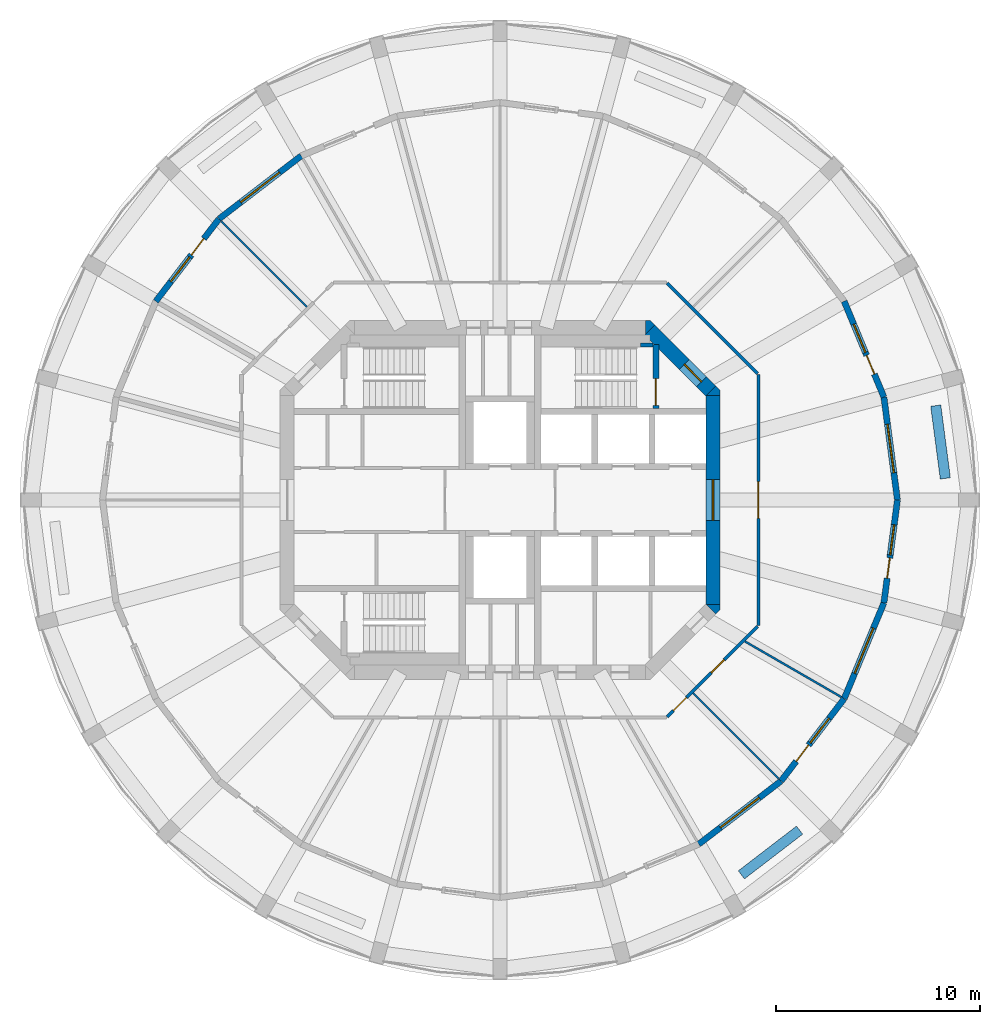
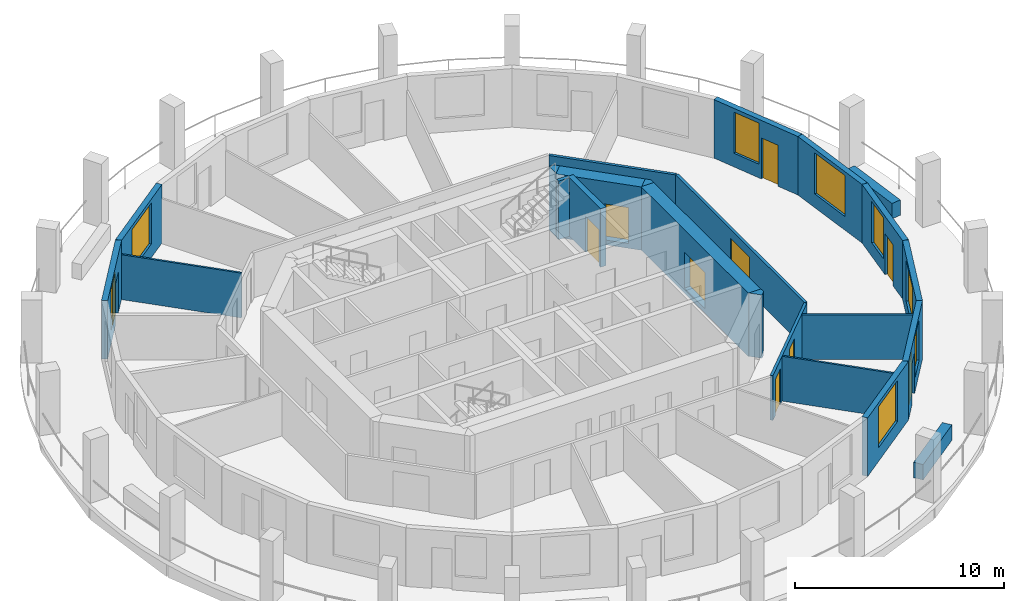
# One storey, part 5 of 8: 23 walls, 10 doors, 8 windows, 18 openings.
"""IFC4 building model written with IfcOpenShell, lengths in metres."""

from ifc_helpers import new_model, si_unit, direction, frame, frame_2d, origin, place, context, subcontext, project, spatial, polyline, rectangle, outline, extrude, material, layer, layer_set, type_object, element, fill, save


model = new_model("IFC4")

# Units and contexts
model_context = context("Model", 3, precision=1e-05, world=origin(), true_north=direction((0.0, 1.0)))
body_context = subcontext(model_context, "Body", "Model", "MODEL_VIEW")
ifc_project = project(units=[si_unit("LENGTHUNIT", "METRE"), si_unit("AREAUNIT", "SQUARE_METRE"), si_unit("VOLUMEUNIT", "CUBIC_METRE"), si_unit("PLANEANGLEUNIT", "RADIAN"), si_unit("MASSUNIT", "GRAM", prefix="KILO")], contexts=[model_context])

# Site, building, storey
site_placement = place(None, origin())
site = spatial("IfcSite", under=ifc_project, at=site_placement, CompositionType="ELEMENT")
building_placement = place(site_placement, origin())
building = spatial("IfcBuilding", under=site, at=building_placement, Name="Torre Triforio", CompositionType="ELEMENT")
storey_placement = place(building_placement, frame((0.0, 0.0, 203.89990234375)))
storey = spatial("IfcBuildingStorey", under=building, at=storey_placement, Name="L46", CompositionType="ELEMENT", Elevation=203.89990234375)

# Wall, opening, door
ifc_material_1 = material(Name="Concrete C50", Category="concrete")
ifc_layer_1 = layer(ifc_material_1, 0.699951171875)
ifc_layer_set_1 = layer_set([ifc_layer_1], Name="Concrete C50")
wall_type_1 = type_object("IfcWallType", Name="Core wall 700 mm C50 EI 120", PredefinedType="SHEAR", material=ifc_layer_set_1)
wall_1_placement = place(storey_placement, frame((10.449951171875, -5.1298828125, -0.27978515625), z_axis=(0.0, 0.0, 1.0), x_axis=(0.0, 1.0, 0.0)))
wall_1 = element("IfcWall", 1, at=wall_1_placement, inside=storey, type_object=wall_type_1, Name="Core wall", PredefinedType="SHEAR", context=body_context, shape_type="SweptSolid", body=[
    extrude(rectangle(XDim=10.259765625, YDim=0.699951171875, at=frame_2d((5.1298828125, 0.0))), origin(), (0.0, 0.0, 1.0), 3.699951171875),
])
opening_1_placement = place(wall_1_placement, frame((4.1298828125, 0.0, 0.280029296875)))
opening_1 = element("IfcOpeningElement", 2, at=opening_1_placement, cuts=wall_1, Name="Opening E-RING", PredefinedType="OPENING", context=body_context, shape_type="SweptSolid", body=[
    extrude(rectangle(XDim=2.0, YDim=2.10009765625, at=frame_2d((1.0, 1.050048828125))), frame((0.0, 0.35986328125, 0.0), z_axis=(0.0, -1.0, 0.0), x_axis=(1.0, 0.0, 0.0)), (0.0, 0.0, 1.0), 0.719970703125),
])
ifc_material_2 = material(Name="Hollow metal fire door leaf")
door_type_1 = type_object("IfcDoorType", Name="Lobby door 2000 x 2100 EI 60", OperationType="DOUBLE_DOOR_SINGLE_SWING", PredefinedType="DOOR", material=ifc_material_2)
door_1_placement = place(opening_1_placement, origin())
door_1 = element("IfcDoor", 3, at=door_1_placement, inside=storey, type_object=door_type_1, Name="Core door E-RING", OperationType="DOUBLE_DOOR_SINGLE_SWING", OverallHeight=2.10009765625, OverallWidth=2.0, PredefinedType="DOOR", context=body_context, shape_type="SweptSolid", body=[
    extrude(rectangle(XDim=2.0, YDim=2.10009765625, at=frame_2d((1.0, 1.050048828125))), frame((0.0, 0.02490234375, 0.0), z_axis=(0.0, -1.0, 0.0), x_axis=(1.0, 0.0, 0.0)), (0.0, 0.0, 1.0), 0.050048828125),
])
fill(opening_1, door_1)

wall_2_placement = place(storey_placement, frame((7.347412109375, 8.347412109375, -0.27978515625), z_axis=(0.0, 0.0, 1.0), x_axis=(0.707106781187, -0.707106781187, 0.0)))
wall_2 = element("IfcWall", 4, at=wall_2_placement, inside=storey, type_object=wall_type_1, Name="Core wall", PredefinedType="SHEAR", context=body_context, shape_type="SweptSolid", body=[
    extrude(rectangle(XDim=4.24267578125, YDim=0.699951171875, at=frame_2d((2.121337890625, 0.0))), origin(), (0.0, 0.0, 1.0), 3.699951171875),
])
opening_2_placement = place(wall_2_placement, frame((2.392578125, 0.0, 0.280029296875)))
opening_2 = element("IfcOpeningElement", 5, at=opening_2_placement, cuts=wall_2, Name="Opening ST2-EXIT", PredefinedType="OPENING", context=body_context, shape_type="SweptSolid", body=[
    extrude(rectangle(XDim=1.199951171875, YDim=2.10009765625, at=frame_2d((0.60009765625, 1.050048828125))), frame((0.0, 0.35986328125, 0.0), z_axis=(0.0, -1.0, 0.0), x_axis=(1.0, 0.0, 0.0)), (0.0, 0.0, 1.0), 0.719970703125),
])
door_type_2 = type_object("IfcDoorType", Name="Stair lobby door 1200 x 2100 EI 60", OperationType="NOTDEFINED", PredefinedType="DOOR", material=ifc_material_2)
door_2_placement = place(opening_2_placement, origin())
door_2 = element("IfcDoor", 6, at=door_2_placement, inside=storey, type_object=door_type_2, Name="Core door ST2-EXIT", OperationType="SINGLE_SWING_RIGHT", OverallHeight=2.10009765625, OverallWidth=1.199951171875, PredefinedType="DOOR", context=body_context, shape_type="SweptSolid", body=[
    extrude(rectangle(XDim=1.199951171875, YDim=2.10009765625, at=frame_2d((0.60009765625, 1.050048828125))), frame((0.0, 0.02490234375, 0.0), z_axis=(0.0, -1.0, 0.0), x_axis=(1.0, 0.0, 0.0)), (0.0, 0.0, 1.0), 0.050048828125),
])
fill(opening_2, door_2)

# Walls
wall_3_placement = place(storey_placement, frame((0.0, 0.0, -0.27978515625)))
element("IfcWall", 7, at=wall_3_placement, inside=storey, type_object=wall_type_1, Name="Core wall", PredefinedType="SHEAR", context=body_context, shape_type="SweptSolid", body=[
    extrude(outline(polyline([(10.800048828125, -5.389892578125), (10.594970703125, -5.594970703125), (10.594970703125, -5.594970703125), (10.594970703125, -5.594970703125), (10.1298828125, -5.1298828125), (10.800048828125, -5.1298828125), (10.800048828125, -5.1298828125), (10.800048828125, -5.389892578125)])), origin(), (0.0, 0.0, 1.0), 3.699951171875),
])
wall_4_placement = place(storey_placement, frame((0.0, 0.0, -0.27978515625)))
element("IfcWall", 8, at=wall_4_placement, inside=storey, type_object=wall_type_1, Name="Core wall", PredefinedType="SHEAR", context=body_context, shape_type="SweptSolid", body=[
    extrude(outline(polyline([(10.800048828125, 5.389892578125), (10.800048828125, 5.1298828125), (10.800048828125, 5.1298828125), (10.1298828125, 5.1298828125), (10.594970703125, 5.594970703125), (10.594970703125, 5.594970703125), (10.594970703125, 5.594970703125), (10.800048828125, 5.389892578125)])), origin(), (0.0, 0.0, 1.0), 3.699951171875),
])
wall_5_placement = place(storey_placement, frame((0.0, 0.0, -0.27978515625)))
element("IfcWall", 9, at=wall_5_placement, inside=storey, type_object=wall_type_1, Name="Core wall", PredefinedType="SHEAR", context=body_context, shape_type="SweptSolid", body=[
    extrude(outline(polyline([(7.389892578125, 8.800048828125), (7.594970703125, 8.594970703125), (7.594970703125, 8.594970703125), (7.594970703125, 8.594970703125), (7.1298828125, 8.1298828125), (7.1298828125, 8.800048828125), (7.1298828125, 8.800048828125), (7.389892578125, 8.800048828125)])), origin(), (0.0, 0.0, 1.0), 3.699951171875),
])

# Wall, openings, doors
ifc_material_3 = material(Name="Plasterboard on metal studs")
ifc_layer_2 = layer(ifc_material_3, 0.14990234375)
ifc_layer_set_2 = layer_set([ifc_layer_2], Name="Plasterboard on metal studs")
wall_type_2 = type_object("IfcWallType", Name="Corridor and tenancy wall 150 mm EI 60", PredefinedType="PARTITIONING", material=ifc_layer_set_2)
wall_6_placement = place(storey_placement, frame((12.637939453125, -6.20361328125, 0.0), z_axis=(0.0, 0.0, 1.0), x_axis=(-0.707106781187, -0.707106781187, 0.0)))
wall_6 = element("IfcWall", 10, at=wall_6_placement, inside=storey, type_object=wall_type_2, Name="Partition 1", PredefinedType="PARTITIONING", context=body_context, shape_type="SweptSolid", body=[
    extrude(rectangle(XDim=6.27099609375, YDim=0.14990234375, at=frame_2d((3.135498046875, 0.0))), origin(), (0.0, 0.0, 1.0), 2.6201171875),
])
opening_3_placement = place(wall_6_placement, frame((4.935302734375, 0.0, 0.0)))
opening_3 = element("IfcOpeningElement", 11, at=opening_3_placement, cuts=wall_6, Name="Opening O5-06", PredefinedType="OPENING", context=body_context, shape_type="SweptSolid", body=[
    extrude(rectangle(XDim=0.89990234375, YDim=2.10009765625, at=frame_2d((0.449951171875, 1.050048828125))), frame((0.0, 0.0849609375, 0.0), z_axis=(0.0, -1.0, 0.0), x_axis=(1.0, 0.0, 0.0)), (0.0, 0.0, 1.0), 0.169921875),
])
opening_4_placement = place(wall_6_placement, frame((2.313720703125, 0.0, 0.0)))
opening_4 = element("IfcOpeningElement", 12, at=opening_4_placement, cuts=wall_6, Name="Opening O5-07", PredefinedType="OPENING", context=body_context, shape_type="SweptSolid", body=[
    extrude(rectangle(XDim=0.89990234375, YDim=2.10009765625, at=frame_2d((0.449951171875, 1.050048828125))), frame((0.0, 0.0849609375, 0.0), z_axis=(0.0, -1.0, 0.0), x_axis=(1.0, 0.0, 0.0)), (0.0, 0.0, 1.0), 0.169921875),
])
ifc_material_4 = material(Name="Timber", Category="wood")
door_type_3 = type_object("IfcDoorType", Name="Door 900 x 2100 single leaf EI 30", OperationType="NOTDEFINED", PredefinedType="DOOR", material=ifc_material_4)
door_3_placement = place(opening_3_placement, origin())
door_3 = element("IfcDoor", 13, at=door_3_placement, inside=storey, type_object=door_type_3, Name="Door O5-06", OperationType="SINGLE_SWING_RIGHT", OverallHeight=2.10009765625, OverallWidth=0.89990234375, PredefinedType="DOOR", context=body_context, shape_type="SweptSolid", body=[
    extrude(rectangle(XDim=0.89990234375, YDim=2.10009765625, at=frame_2d((0.449951171875, 1.050048828125))), frame((0.0, 0.02490234375, 0.0), z_axis=(0.0, -1.0, 0.0), x_axis=(1.0, 0.0, 0.0)), (0.0, 0.0, 1.0), 0.050048828125),
])
fill(opening_3, door_3)
door_4_placement = place(opening_4_placement, origin())
door_4 = element("IfcDoor", 14, at=door_4_placement, inside=storey, type_object=door_type_3, Name="Door O5-07", OperationType="SINGLE_SWING_LEFT", OverallHeight=2.10009765625, OverallWidth=0.89990234375, PredefinedType="DOOR", context=body_context, shape_type="SweptSolid", body=[
    extrude(rectangle(XDim=0.89990234375, YDim=2.10009765625, at=frame_2d((0.449951171875, 1.050048828125))), frame((0.0, 0.02490234375, 0.0), z_axis=(0.0, -1.0, 0.0), x_axis=(1.0, 0.0, 0.0)), (0.0, 0.0, 1.0), 0.050048828125),
])
fill(opening_4, door_4)

# Wall
wall_7_placement = place(storey_placement, frame((8.20361328125, 10.637939453125, 0.0), z_axis=(0.0, 0.0, 1.0), x_axis=(0.707106781187, -0.707106781187, 0.0)))
element("IfcWall", 15, at=wall_7_placement, inside=storey, type_object=wall_type_2, Name="Partition 9", PredefinedType="PARTITIONING", context=body_context, shape_type="SweptSolid", body=[
    extrude(rectangle(XDim=6.27099609375, YDim=0.14990234375, at=frame_2d((3.135498046875, 0.0))), origin(), (0.0, 0.0, 1.0), 2.6201171875),
])

# Wall, opening, door
wall_8_placement = place(storey_placement, frame((12.675048828125, 6.16650390625, 0.0), z_axis=(0.0, 0.0, 1.0), x_axis=(0.0, -1.0, 0.0)))
wall_8 = element("IfcWall", 16, at=wall_8_placement, inside=storey, type_object=wall_type_2, Name="Partition 10", PredefinedType="PARTITIONING", context=body_context, shape_type="SweptSolid", body=[
    extrude(rectangle(XDim=12.3330078125, YDim=0.14990234375, at=frame_2d((6.16650390625, 0.0))), origin(), (0.0, 0.0, 1.0), 2.6201171875),
])
opening_5_placement = place(wall_8_placement, frame((5.2666015625, 0.0, 0.0)))
opening_5 = element("IfcOpeningElement", 17, at=opening_5_placement, cuts=wall_8, Name="Opening O5-08", PredefinedType="OPENING", context=body_context, shape_type="SweptSolid", body=[
    extrude(rectangle(XDim=1.800048828125, YDim=2.10009765625, at=frame_2d((0.89990234375, 1.050048828125))), frame((0.0, 0.0849609375, 0.0), z_axis=(0.0, -1.0, 0.0), x_axis=(1.0, 0.0, 0.0)), (0.0, 0.0, 1.0), 0.169921875),
])
door_type_4 = type_object("IfcDoorType", Name="Door 1800 x 2100 double leaf EI 30", OperationType="DOUBLE_DOOR_SINGLE_SWING", PredefinedType="DOOR", material=ifc_material_4)
door_5_placement = place(opening_5_placement, origin())
door_5 = element("IfcDoor", 18, at=door_5_placement, inside=storey, type_object=door_type_4, Name="Door O5-08", OperationType="DOUBLE_DOOR_SINGLE_SWING", OverallHeight=2.10009765625, OverallWidth=1.800048828125, PredefinedType="DOOR", context=body_context, shape_type="SweptSolid", body=[
    extrude(rectangle(XDim=1.800048828125, YDim=2.10009765625, at=frame_2d((0.89990234375, 1.050048828125))), frame((0.0, 0.02490234375, 0.0), z_axis=(0.0, -1.0, 0.0), x_axis=(1.0, 0.0, 0.0)), (0.0, 0.0, 1.0), 0.050048828125),
])
fill(opening_5, door_5)

# Walls
ifc_layer_3 = layer(ifc_material_3, 0.10009765625)
ifc_layer_set_3 = layer_set([ifc_layer_3], Name="Plasterboard on metal studs")
wall_type_3 = type_object("IfcWallType", Name="Partition 100 mm board on metal studs", PredefinedType="PARTITIONING", material=ifc_layer_set_3)
for number, where, z_axis, x_axis, name in (
    (19, (-9.473876953125, 9.473876953125, 0.0), (0.0, 0.0, 1.0), (-0.707106781187, 0.707106781187, 0.0), "Partition 16"),
    (20, (9.473876953125, -9.473876953125, 0.0), (0.0, 0.0, 1.0), (0.707106781187, -0.707106781187, 0.0), "Partition 25"),
):
    element("IfcWall", number, at=place(storey_placement, frame(where, z_axis=z_axis, x_axis=x_axis)), inside=storey, type_object=wall_type_3, Name=name, PredefinedType="PARTITIONING", context=body_context, shape_type="SweptSolid", body=[
        extrude(rectangle(XDim=5.9384765625, YDim=0.10009765625, at=frame_2d((2.96923828125, 0.0))), origin(), (0.0, 0.0, 1.0), 2.6201171875),
    ])
wall_9_placement = place(storey_placement, frame((12.025146484375, -6.94287109375, 0.0), z_axis=(0.0, 0.0, 1.0), x_axis=(0.866029712004, -0.499992537871, 0.0)))
element("IfcWall", 21, at=wall_9_placement, inside=storey, type_object=wall_type_3, Name="Partition 26", PredefinedType="PARTITIONING", context=body_context, shape_type="SweptSolid", body=[
    extrude(rectangle(XDim=5.451171875, YDim=0.10009765625, at=frame_2d((2.7255859375, 0.0))), origin(), (0.0, 0.0, 1.0), 2.6201171875),
])
ifc_material_5 = material(Name="Limestone cladding", Category="masonry")
ifc_layer_4 = layer(ifc_material_5, 0.10009765625)
ifc_material_6 = material(Name="Concrete C40", Category="concrete")
ifc_layer_5 = layer(ifc_material_6, 0.39990234375)
ifc_layer_set_4 = layer_set([ifc_layer_4, ifc_layer_5], Name="Limestone cladding / Concrete C40")
wall_type_4 = type_object("IfcWallType", Name="Planter wall 500", PredefinedType="PARAPET", material=ifc_layer_set_4)
wall_10_placement = place(storey_placement, frame((21.848388671875, 1.060791015625, 0.0), z_axis=(0.0, 0.0, 1.0), x_axis=(-0.130475563272, 0.991451525486, 0.0)))
element("IfcWall", 22, at=wall_10_placement, inside=storey, type_object=wall_type_4, Name="Planter L46 bay 01", PredefinedType="PARAPET", context=body_context, shape_type="SweptSolid", body=[
    extrude(rectangle(XDim=3.60009765625, YDim=0.5, at=frame_2d((1.800048828125, 0.0))), origin(), (0.0, 0.0, 1.0), 0.900146484375),
])
wall_11_placement = place(storey_placement, frame((11.843017578125, -18.390869140625, 0.0), z_axis=(0.0, 0.0, 1.0), x_axis=(0.793326845617, 0.608795955984, 0.0)))
element("IfcWall", 23, at=wall_11_placement, inside=storey, type_object=wall_type_4, Name="Planter L46 bay 21", PredefinedType="PARAPET", context=body_context, shape_type="SweptSolid", body=[
    extrude(rectangle(XDim=3.599853515625, YDim=0.5, at=frame_2d((1.7998046875, 0.0))), origin(), (0.0, 0.0, 1.0), 0.900146484375),
])
ifc_layer_6 = layer(ifc_material_1, 0.199951171875)
ifc_layer_set_5 = layer_set([ifc_layer_6], Name="Concrete C50")
wall_type_5 = type_object("IfcWallType", Name="Stair wall 200 mm C50 EI 120", PredefinedType="SHEAR", material=ifc_layer_set_5)
wall_12_placement = place(storey_placement, frame((6.89990234375, 7.60009765625, 0.0), z_axis=(0.0, 0.0, 1.0), x_axis=(1.0, 0.0, 0.0)))
element("IfcWall", 24, at=wall_12_placement, inside=storey, type_object=wall_type_5, Name="Stair wall", PredefinedType="SHEAR", context=body_context, shape_type="SweptSolid", body=[
    extrude(rectangle(XDim=0.60009765625, YDim=0.199951171875, at=frame_2d((0.300048828125, 0.0))), origin(), (0.0, 0.0, 1.0), 3.420166015625),
])

# Wall, opening, door
ifc_layer_7 = layer(ifc_material_1, 0.300048828125)
ifc_layer_set_6 = layer_set([ifc_layer_7], Name="Concrete C50")
wall_type_6 = type_object("IfcWallType", Name="Stair wall 300 mm C50 EI 120", PredefinedType="SHEAR", material=ifc_layer_set_6)
wall_13_placement = place(storey_placement, frame((7.64990234375, 4.5, 0.0), z_axis=(0.0, 0.0, 1.0), x_axis=(0.0, 1.0, 0.0)))
wall_13 = element("IfcWall", 25, at=wall_13_placement, inside=storey, type_object=wall_type_6, Name="Stair wall", PredefinedType="SHEAR", context=body_context, shape_type="SweptSolid", body=[
    extrude(rectangle(XDim=3.139892578125, YDim=0.300048828125, at=frame_2d((1.56982421875, 0.0))), origin(), (0.0, 0.0, 1.0), 3.420166015625),
])
opening_6_placement = place(wall_13_placement, frame((0.139892578125, 0.0, 0.0)))
opening_6 = element("IfcOpeningElement", 26, at=opening_6_placement, cuts=wall_13, Name="Opening ST2-STA", PredefinedType="OPENING", context=body_context, shape_type="SweptSolid", body=[
    extrude(rectangle(XDim=1.320068359375, YDim=2.10009765625, at=frame_2d((0.66015625, 1.050048828125))), frame((0.0, 0.159912109375, 0.0), z_axis=(0.0, -1.0, 0.0), x_axis=(1.0, 0.0, 0.0)), (0.0, 0.0, 1.0), 0.320068359375),
])
door_type_5 = type_object("IfcDoorType", Name="Stair door 1320 x 2100 EI 90", OperationType="DOUBLE_DOOR_SINGLE_SWING", PredefinedType="DOOR", material=ifc_material_2)
door_6_placement = place(opening_6_placement, origin())
door_6 = element("IfcDoor", 27, at=door_6_placement, inside=storey, type_object=door_type_5, Name="Core door ST2-ST", OperationType="DOUBLE_DOOR_SINGLE_SWING", OverallHeight=2.10009765625, OverallWidth=1.320068359375, PredefinedType="DOOR", context=body_context, shape_type="SweptSolid", body=[
    extrude(rectangle(XDim=1.320068359375, YDim=2.10009765625, at=frame_2d((0.66015625, 1.050048828125))), frame((0.0, 0.02490234375, 0.0), z_axis=(0.0, -1.0, 0.0), x_axis=(1.0, 0.0, 0.0)), (0.0, 0.0, 1.0), 0.050048828125),
])
fill(opening_6, door_6)

# Wall, opening, window
ifc_layer_8 = layer(ifc_material_5, 0.10009765625)
ifc_layer_9 = layer(ifc_material_6, 0.199951171875)
ifc_layer_set_7 = layer_set([ifc_layer_8, ifc_layer_9], Name="Limestone cladding / Concrete C40")
wall_type_7 = type_object("IfcWallType", Name="Stone-faced composite wall 300", PredefinedType="STANDARD", material=ifc_layer_set_7)
wall_14_placement = place(storey_placement, frame((19.5, 0.0, 0.0), z_axis=(0.0, 0.0, 1.0), x_axis=(-0.130495451964, 0.99144890792, 0.0)))
wall_14 = element("IfcWall", 28, at=wall_14_placement, inside=storey, type_object=wall_type_7, Name="External wall L46 bay 01", PredefinedType="STANDARD", context=body_context, shape_type="SweptSolid", body=[
    extrude(rectangle(XDim=5.090576171875, YDim=0.300048828125, at=frame_2d((2.54541015625, 0.0))), origin(), (0.0, 0.0, 1.0), 3.420166015625),
])
opening_7_placement = place(wall_14_placement, frame((1.34521484375, 0.0, 0.800048828125)))
opening_7 = element("IfcOpeningElement", 29, at=opening_7_placement, cuts=wall_14, Name="Opening O5-W01", PredefinedType="OPENING", context=body_context, shape_type="SweptSolid", body=[
    extrude(rectangle(XDim=2.39990234375, YDim=2.39990234375, at=frame_2d((1.199951171875, 1.199951171875))), frame((0.0, 0.159912109375, 0.0), z_axis=(0.0, -1.0, 0.0), x_axis=(1.0, 0.0, 0.0)), (0.0, 0.0, 1.0), 0.320068359375),
])
ifc_material_7 = material(Name="Aluminium frame with clear double glazing", Category="aluminium")
window_type_1 = type_object("IfcWindowType", Name="Punched window 2400 x 2400", PartitioningType="DOUBLE_PANEL_VERTICAL", PredefinedType="WINDOW", material=ifc_material_7)
window_1_placement = place(opening_7_placement, origin())
window_1 = element("IfcWindow", 30, at=window_1_placement, inside=storey, type_object=window_type_1, Name="Window EWN4 L46 bay 01", OverallHeight=2.39990234375, OverallWidth=2.39990234375, PartitioningType="SINGLE_PANEL", PredefinedType="WINDOW", context=body_context, shape_type="SweptSolid", body=[
    extrude(rectangle(XDim=2.39990234375, YDim=2.39990234375, at=frame_2d((1.199951171875, 1.199951171875))), frame((0.0, 0.030029296875, 0.0), z_axis=(0.0, -1.0, 0.0), x_axis=(1.0, 0.0, 0.0)), (0.0, 0.0, 1.0), 0.06005859375),
])
fill(opening_7, window_1)

# Wall, openings, door, window
wall_15_placement = place(storey_placement, frame((18.835693359375, 5.047119140625, 0.0), z_axis=(0.0, 0.0, 1.0), x_axis=(-0.382724538613, 0.923862504675, 0.0)))
wall_15 = element("IfcWall", 31, at=wall_15_placement, inside=storey, type_object=wall_type_7, Name="External wall L46 bay 02", PredefinedType="STANDARD", context=body_context, shape_type="SweptSolid", body=[
    extrude(rectangle(XDim=5.090576171875, YDim=0.300048828125, at=frame_2d((2.54541015625, 0.0))), origin(), (0.0, 0.0, 1.0), 3.420166015625),
])
opening_8_placement = place(wall_15_placement, frame((1.22021484375, 0.0, 0.0)))
opening_8 = element("IfcOpeningElement", 32, at=opening_8_placement, cuts=wall_15, Name="Opening O5-D02", PredefinedType="OPENING", context=body_context, shape_type="SweptSolid", body=[
    extrude(rectangle(XDim=1.0, YDim=2.39990234375, at=frame_2d((0.5, 1.199951171875))), frame((0.0, 0.159912109375, 0.0), z_axis=(0.0, -1.0, 0.0), x_axis=(1.0, 0.0, 0.0)), (0.0, 0.0, 1.0), 0.320068359375),
])
opening_9_placement = place(wall_15_placement, frame((2.370361328125, 0.0, 0.800048828125)))
opening_9 = element("IfcOpeningElement", 33, at=opening_9_placement, cuts=wall_15, Name="Opening O5-W02A", PredefinedType="OPENING", context=body_context, shape_type="SweptSolid", body=[
    extrude(rectangle(XDim=1.5, YDim=2.39990234375, at=frame_2d((0.75, 1.199951171875))), frame((0.0, 0.159912109375, 0.0), z_axis=(0.0, -1.0, 0.0), x_axis=(1.0, 0.0, 0.0)), (0.0, 0.0, 1.0), 0.320068359375),
])
door_type_6 = type_object("IfcDoorType", Name="Loggia door 1000 x 2400", OperationType="NOTDEFINED", PredefinedType="DOOR", material=ifc_material_7)
door_7_placement = place(opening_8_placement, origin())
door_7 = element("IfcDoor", 34, at=door_7_placement, inside=storey, type_object=door_type_6, Name="Loggia door L46 bay 02", OperationType="SINGLE_SWING_LEFT", OverallHeight=2.39990234375, OverallWidth=1.0, PredefinedType="DOOR", context=body_context, shape_type="SweptSolid", body=[
    extrude(rectangle(XDim=1.0, YDim=2.39990234375, at=frame_2d((0.5, 1.199951171875))), frame((0.0, 0.02490234375, 0.0), z_axis=(0.0, -1.0, 0.0), x_axis=(1.0, 0.0, 0.0)), (0.0, 0.0, 1.0), 0.050048828125),
])
fill(opening_8, door_7)
window_type_2 = type_object("IfcWindowType", Name="Side window 1500 x 2400", PartitioningType="SINGLE_PANEL", PredefinedType="WINDOW", material=ifc_material_7)
window_2_placement = place(opening_9_placement, origin())
window_2 = element("IfcWindow", 35, at=window_2_placement, inside=storey, type_object=window_type_2, Name="Side window EWN14 L46 bay 02", OverallHeight=2.39990234375, OverallWidth=1.5, PartitioningType="SINGLE_PANEL", PredefinedType="WINDOW", context=body_context, shape_type="SweptSolid", body=[
    extrude(rectangle(XDim=1.5, YDim=2.39990234375, at=frame_2d((0.75, 1.199951171875))), frame((0.0, 0.030029296875, 0.0), z_axis=(0.0, -1.0, 0.0), x_axis=(1.0, 0.0, 0.0)), (0.0, 0.0, 1.0), 0.06005859375),
])
fill(opening_9, window_2)

# Wall, opening, window
wall_16_placement = place(storey_placement, frame((-9.75, 16.887451171875, 0.0), z_axis=(0.0, 0.0, 1.0), x_axis=(-0.79335619014, -0.608757714995, 0.0)))
wall_16 = element("IfcWall", 36, at=wall_16_placement, inside=storey, type_object=wall_type_7, Name="External wall L46 bay 09", PredefinedType="STANDARD", context=body_context, shape_type="SweptSolid", body=[
    extrude(rectangle(XDim=5.090576171875, YDim=0.300048828125, at=frame_2d((2.54541015625, 0.0))), origin(), (0.0, 0.0, 1.0), 3.420166015625),
])
opening_10_placement = place(wall_16_placement, frame((1.34521484375, 0.0, 0.800048828125)))
opening_10 = element("IfcOpeningElement", 37, at=opening_10_placement, cuts=wall_16, Name="Opening O5-W09", PredefinedType="OPENING", context=body_context, shape_type="SweptSolid", body=[
    extrude(rectangle(XDim=2.39990234375, YDim=2.39990234375, at=frame_2d((1.199951171875, 1.199951171875))), frame((0.0, 0.159912109375, 0.0), z_axis=(0.0, -1.0, 0.0), x_axis=(1.0, 0.0, 0.0)), (0.0, 0.0, 1.0), 0.320068359375),
])
window_3_placement = place(opening_10_placement, origin())
window_3 = element("IfcWindow", 38, at=window_3_placement, inside=storey, type_object=window_type_1, Name="Window EWN4 L46 bay 09", OverallHeight=2.39990234375, OverallWidth=2.39990234375, PartitioningType="SINGLE_PANEL", PredefinedType="WINDOW", context=body_context, shape_type="SweptSolid", body=[
    extrude(rectangle(XDim=2.39990234375, YDim=2.39990234375, at=frame_2d((1.199951171875, 1.199951171875))), frame((0.0, 0.030029296875, 0.0), z_axis=(0.0, -1.0, 0.0), x_axis=(1.0, 0.0, 0.0)), (0.0, 0.0, 1.0), 0.06005859375),
])
fill(opening_10, window_3)

# Wall, openings, door, window
wall_17_placement = place(storey_placement, frame((-13.78857421875, 13.78857421875, 0.0), z_axis=(0.0, 0.0, 1.0), x_axis=(-0.608757714995, -0.79335619014, 0.0)))
wall_17 = element("IfcWall", 39, at=wall_17_placement, inside=storey, type_object=wall_type_7, Name="External wall L46 bay 10", PredefinedType="STANDARD", context=body_context, shape_type="SweptSolid", body=[
    extrude(rectangle(XDim=5.090576171875, YDim=0.300048828125, at=frame_2d((2.54541015625, 0.0))), origin(), (0.0, 0.0, 1.0), 3.420166015625),
])
opening_11_placement = place(wall_17_placement, frame((1.22021484375, 0.0, 0.0)))
opening_11 = element("IfcOpeningElement", 40, at=opening_11_placement, cuts=wall_17, Name="Opening O5-D10", PredefinedType="OPENING", context=body_context, shape_type="SweptSolid", body=[
    extrude(rectangle(XDim=1.0, YDim=2.39990234375, at=frame_2d((0.5, 1.199951171875))), frame((0.0, 0.159912109375, 0.0), z_axis=(0.0, -1.0, 0.0), x_axis=(1.0, 0.0, 0.0)), (0.0, 0.0, 1.0), 0.320068359375),
])
opening_12_placement = place(wall_17_placement, frame((2.370361328125, 0.0, 0.800048828125)))
opening_12 = element("IfcOpeningElement", 41, at=opening_12_placement, cuts=wall_17, Name="Opening O5-W10A", PredefinedType="OPENING", context=body_context, shape_type="SweptSolid", body=[
    extrude(rectangle(XDim=1.5, YDim=2.39990234375, at=frame_2d((0.75, 1.199951171875))), frame((0.0, 0.159912109375, 0.0), z_axis=(0.0, -1.0, 0.0), x_axis=(1.0, 0.0, 0.0)), (0.0, 0.0, 1.0), 0.320068359375),
])
door_8_placement = place(opening_11_placement, origin())
door_8 = element("IfcDoor", 42, at=door_8_placement, inside=storey, type_object=door_type_6, Name="Loggia door L46 bay 10", OperationType="SINGLE_SWING_LEFT", OverallHeight=2.39990234375, OverallWidth=1.0, PredefinedType="DOOR", context=body_context, shape_type="SweptSolid", body=[
    extrude(rectangle(XDim=1.0, YDim=2.39990234375, at=frame_2d((0.5, 1.199951171875))), frame((0.0, 0.02490234375, 0.0), z_axis=(0.0, -1.0, 0.0), x_axis=(1.0, 0.0, 0.0)), (0.0, 0.0, 1.0), 0.050048828125),
])
fill(opening_11, door_8)
window_4_placement = place(opening_12_placement, origin())
window_4 = element("IfcWindow", 43, at=window_4_placement, inside=storey, type_object=window_type_2, Name="Side window EWN14 L46 bay 10", OverallHeight=2.39990234375, OverallWidth=1.5, PartitioningType="SINGLE_PANEL", PredefinedType="WINDOW", context=body_context, shape_type="SweptSolid", body=[
    extrude(rectangle(XDim=1.5, YDim=2.39990234375, at=frame_2d((0.75, 1.199951171875))), frame((0.0, 0.030029296875, 0.0), z_axis=(0.0, -1.0, 0.0), x_axis=(1.0, 0.0, 0.0)), (0.0, 0.0, 1.0), 0.06005859375),
])
fill(opening_12, window_4)

# Wall, opening, window
wall_18_placement = place(storey_placement, frame((9.75, -16.887451171875, 0.0), z_axis=(0.0, 0.0, 1.0), x_axis=(0.79335619014, 0.608757714995, 0.0)))
wall_18 = element("IfcWall", 44, at=wall_18_placement, inside=storey, type_object=wall_type_7, Name="External wall L46 bay 21", PredefinedType="STANDARD", context=body_context, shape_type="SweptSolid", body=[
    extrude(rectangle(XDim=5.090576171875, YDim=0.300048828125, at=frame_2d((2.54541015625, 0.0))), origin(), (0.0, 0.0, 1.0), 3.420166015625),
])
opening_13_placement = place(wall_18_placement, frame((1.34521484375, 0.0, 0.800048828125)))
opening_13 = element("IfcOpeningElement", 45, at=opening_13_placement, cuts=wall_18, Name="Opening O5-W21", PredefinedType="OPENING", context=body_context, shape_type="SweptSolid", body=[
    extrude(rectangle(XDim=2.39990234375, YDim=2.39990234375, at=frame_2d((1.199951171875, 1.199951171875))), frame((0.0, 0.159912109375, 0.0), z_axis=(0.0, -1.0, 0.0), x_axis=(1.0, 0.0, 0.0)), (0.0, 0.0, 1.0), 0.320068359375),
])
window_5_placement = place(opening_13_placement, origin())
window_5 = element("IfcWindow", 46, at=window_5_placement, inside=storey, type_object=window_type_1, Name="Window EWN4 L46 bay 21", OverallHeight=2.39990234375, OverallWidth=2.39990234375, PartitioningType="SINGLE_PANEL", PredefinedType="WINDOW", context=body_context, shape_type="SweptSolid", body=[
    extrude(rectangle(XDim=2.39990234375, YDim=2.39990234375, at=frame_2d((1.199951171875, 1.199951171875))), frame((0.0, 0.030029296875, 0.0), z_axis=(0.0, -1.0, 0.0), x_axis=(1.0, 0.0, 0.0)), (0.0, 0.0, 1.0), 0.06005859375),
])
fill(opening_13, window_5)

# Wall, openings, door, window
wall_19_placement = place(storey_placement, frame((13.78857421875, -13.78857421875, 0.0), z_axis=(0.0, 0.0, 1.0), x_axis=(0.608757714995, 0.79335619014, 0.0)))
wall_19 = element("IfcWall", 47, at=wall_19_placement, inside=storey, type_object=wall_type_7, Name="External wall L46 bay 22", PredefinedType="STANDARD", context=body_context, shape_type="SweptSolid", body=[
    extrude(rectangle(XDim=5.090576171875, YDim=0.300048828125, at=frame_2d((2.54541015625, 0.0))), origin(), (0.0, 0.0, 1.0), 3.420166015625),
])
opening_14_placement = place(wall_19_placement, frame((1.22021484375, 0.0, 0.0)))
opening_14 = element("IfcOpeningElement", 48, at=opening_14_placement, cuts=wall_19, Name="Opening O5-D22", PredefinedType="OPENING", context=body_context, shape_type="SweptSolid", body=[
    extrude(rectangle(XDim=1.0, YDim=2.39990234375, at=frame_2d((0.5, 1.199951171875))), frame((0.0, 0.159912109375, 0.0), z_axis=(0.0, -1.0, 0.0), x_axis=(1.0, 0.0, 0.0)), (0.0, 0.0, 1.0), 0.320068359375),
])
opening_15_placement = place(wall_19_placement, frame((2.370361328125, 0.0, 0.800048828125)))
opening_15 = element("IfcOpeningElement", 49, at=opening_15_placement, cuts=wall_19, Name="Opening O5-W22A", PredefinedType="OPENING", context=body_context, shape_type="SweptSolid", body=[
    extrude(rectangle(XDim=1.5, YDim=2.39990234375, at=frame_2d((0.75, 1.199951171875))), frame((0.0, 0.159912109375, 0.0), z_axis=(0.0, -1.0, 0.0), x_axis=(1.0, 0.0, 0.0)), (0.0, 0.0, 1.0), 0.320068359375),
])
door_9_placement = place(opening_14_placement, origin())
door_9 = element("IfcDoor", 50, at=door_9_placement, inside=storey, type_object=door_type_6, Name="Loggia door L46 bay 22", OperationType="SINGLE_SWING_LEFT", OverallHeight=2.39990234375, OverallWidth=1.0, PredefinedType="DOOR", context=body_context, shape_type="SweptSolid", body=[
    extrude(rectangle(XDim=1.0, YDim=2.39990234375, at=frame_2d((0.5, 1.199951171875))), frame((0.0, 0.02490234375, 0.0), z_axis=(0.0, -1.0, 0.0), x_axis=(1.0, 0.0, 0.0)), (0.0, 0.0, 1.0), 0.050048828125),
])
fill(opening_14, door_9)
window_6_placement = place(opening_15_placement, origin())
window_6 = element("IfcWindow", 51, at=window_6_placement, inside=storey, type_object=window_type_2, Name="Side window EWN14 L46 bay 22", OverallHeight=2.39990234375, OverallWidth=1.5, PartitioningType="SINGLE_PANEL", PredefinedType="WINDOW", context=body_context, shape_type="SweptSolid", body=[
    extrude(rectangle(XDim=1.5, YDim=2.39990234375, at=frame_2d((0.75, 1.199951171875))), frame((0.0, 0.030029296875, 0.0), z_axis=(0.0, -1.0, 0.0), x_axis=(1.0, 0.0, 0.0)), (0.0, 0.0, 1.0), 0.06005859375),
])
fill(opening_15, window_6)

# Wall, opening, window
wall_20_placement = place(storey_placement, frame((16.887451171875, -9.75, 0.0), z_axis=(0.0, 0.0, 1.0), x_axis=(0.382724538613, 0.923862504675, 0.0)))
wall_20 = element("IfcWall", 52, at=wall_20_placement, inside=storey, type_object=wall_type_7, Name="External wall L46 bay 23", PredefinedType="STANDARD", context=body_context, shape_type="SweptSolid", body=[
    extrude(rectangle(XDim=5.090576171875, YDim=0.300048828125, at=frame_2d((2.54541015625, 0.0))), origin(), (0.0, 0.0, 1.0), 3.420166015625),
])
opening_16_placement = place(wall_20_placement, frame((1.34521484375, 0.0, 0.800048828125)))
opening_16 = element("IfcOpeningElement", 53, at=opening_16_placement, cuts=wall_20, Name="Opening O5-W23", PredefinedType="OPENING", context=body_context, shape_type="SweptSolid", body=[
    extrude(rectangle(XDim=2.39990234375, YDim=2.39990234375, at=frame_2d((1.199951171875, 1.199951171875))), frame((0.0, 0.159912109375, 0.0), z_axis=(0.0, -1.0, 0.0), x_axis=(1.0, 0.0, 0.0)), (0.0, 0.0, 1.0), 0.320068359375),
])
window_7_placement = place(opening_16_placement, origin())
window_7 = element("IfcWindow", 54, at=window_7_placement, inside=storey, type_object=window_type_1, Name="Window EWN4 L46 bay 23", OverallHeight=2.39990234375, OverallWidth=2.39990234375, PartitioningType="SINGLE_PANEL", PredefinedType="WINDOW", context=body_context, shape_type="SweptSolid", body=[
    extrude(rectangle(XDim=2.39990234375, YDim=2.39990234375, at=frame_2d((1.199951171875, 1.199951171875))), frame((0.0, 0.030029296875, 0.0), z_axis=(0.0, -1.0, 0.0), x_axis=(1.0, 0.0, 0.0)), (0.0, 0.0, 1.0), 0.06005859375),
])
fill(opening_16, window_7)

# Wall, openings, door, window
wall_21_placement = place(storey_placement, frame((18.835693359375, -5.047119140625, 0.0), z_axis=(0.0, 0.0, 1.0), x_axis=(0.130495451964, 0.99144890792, 0.0)))
wall_21 = element("IfcWall", 55, at=wall_21_placement, inside=storey, type_object=wall_type_7, Name="External wall L46 bay 24", PredefinedType="STANDARD", context=body_context, shape_type="SweptSolid", body=[
    extrude(rectangle(XDim=5.090576171875, YDim=0.300048828125, at=frame_2d((2.54541015625, 0.0))), origin(), (0.0, 0.0, 1.0), 3.420166015625),
])
opening_17_placement = place(wall_21_placement, frame((1.22021484375, 0.0, 0.0)))
opening_17 = element("IfcOpeningElement", 56, at=opening_17_placement, cuts=wall_21, Name="Opening O5-D24", PredefinedType="OPENING", context=body_context, shape_type="SweptSolid", body=[
    extrude(rectangle(XDim=1.0, YDim=2.39990234375, at=frame_2d((0.5, 1.199951171875))), frame((0.0, 0.159912109375, 0.0), z_axis=(0.0, -1.0, 0.0), x_axis=(1.0, 0.0, 0.0)), (0.0, 0.0, 1.0), 0.320068359375),
])
opening_18_placement = place(wall_21_placement, frame((2.370361328125, 0.0, 0.800048828125)))
opening_18 = element("IfcOpeningElement", 57, at=opening_18_placement, cuts=wall_21, Name="Opening O5-W24A", PredefinedType="OPENING", context=body_context, shape_type="SweptSolid", body=[
    extrude(rectangle(XDim=1.5, YDim=2.39990234375, at=frame_2d((0.75, 1.199951171875))), frame((0.0, 0.159912109375, 0.0), z_axis=(0.0, -1.0, 0.0), x_axis=(1.0, 0.0, 0.0)), (0.0, 0.0, 1.0), 0.320068359375),
])
door_10_placement = place(opening_17_placement, origin())
door_10 = element("IfcDoor", 58, at=door_10_placement, inside=storey, type_object=door_type_6, Name="Loggia door L46 bay 24", OperationType="SINGLE_SWING_LEFT", OverallHeight=2.39990234375, OverallWidth=1.0, PredefinedType="DOOR", context=body_context, shape_type="SweptSolid", body=[
    extrude(rectangle(XDim=1.0, YDim=2.39990234375, at=frame_2d((0.5, 1.199951171875))), frame((0.0, 0.02490234375, 0.0), z_axis=(0.0, -1.0, 0.0), x_axis=(1.0, 0.0, 0.0)), (0.0, 0.0, 1.0), 0.050048828125),
])
fill(opening_17, door_10)
window_8_placement = place(opening_18_placement, origin())
window_8 = element("IfcWindow", 59, at=window_8_placement, inside=storey, type_object=window_type_2, Name="Side window EWN14 L46 bay 24", OverallHeight=2.39990234375, OverallWidth=1.5, PartitioningType="SINGLE_PANEL", PredefinedType="WINDOW", context=body_context, shape_type="SweptSolid", body=[
    extrude(rectangle(XDim=1.5, YDim=2.39990234375, at=frame_2d((0.75, 1.199951171875))), frame((0.0, 0.030029296875, 0.0), z_axis=(0.0, -1.0, 0.0), x_axis=(1.0, 0.0, 0.0)), (0.0, 0.0, 1.0), 0.06005859375),
])
fill(opening_18, window_8)

save(model, "model.ifc")
